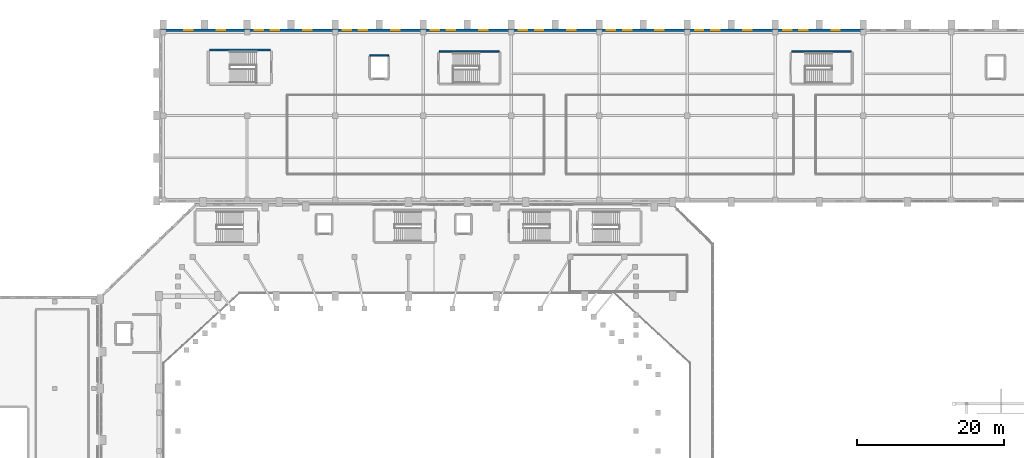
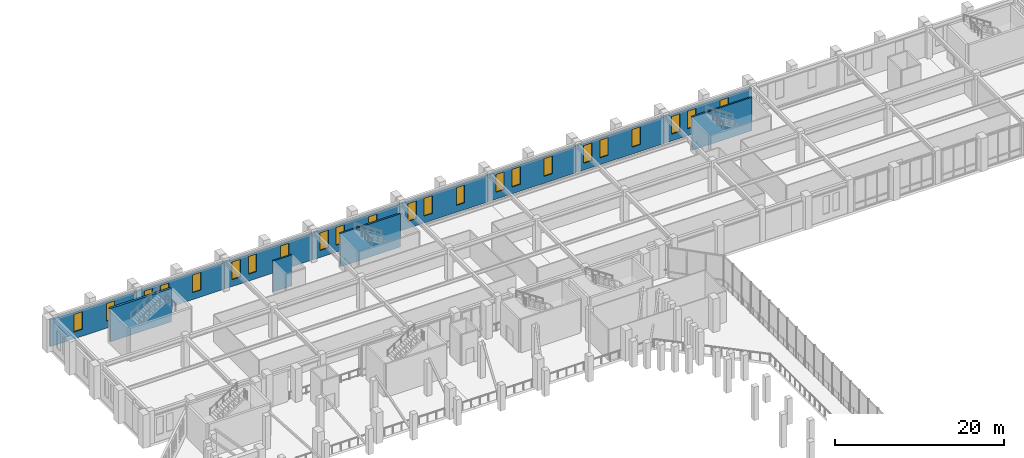
# One storey, part 102 of 126: 23 windows, 12 walls, 23 openings.
"""IFC4 building model written with IfcOpenShell, lengths in metres."""

from ifc_helpers import new_model, si_unit, derived_unit, direction, frame, frame_2d, origin, place, context, subcontext, project, spatial, rectangle, extrude, material, layer, layer_set, type_object, element, fill, save


model = new_model("IFC4")

# Units and contexts
model_context = context("Model", 3, precision=1e-05, world=origin(), true_north=direction((0.0, 1.0)))
body_context = subcontext(model_context, "Body", "Model", "MODEL_VIEW")
ifc_project = project(units=[si_unit("LENGTHUNIT", "METRE"), si_unit("AREAUNIT", "SQUARE_METRE"), si_unit("VOLUMEUNIT", "CUBIC_METRE"), si_unit("PLANEANGLEUNIT", "RADIAN"), si_unit("MASSUNIT", "GRAM", prefix="KILO"), derived_unit("THERMALTRANSMITTANCEUNIT", [(si_unit("MASSUNIT", "GRAM", prefix="KILO"), 1), (si_unit("TIMEUNIT", "SECOND"), -3), (si_unit("THERMODYNAMICTEMPERATUREUNIT", "KELVIN"), -1)])], contexts=[model_context])

# Site, building, storey
site_placement = place(None, origin())
site = spatial("IfcSite", under=ifc_project, at=site_placement, CompositionType="ELEMENT")
building_placement = place(site_placement, origin())
building = spatial("IfcBuilding", under=site, at=building_placement, Name="Valcora Ridge Arena", CompositionType="ELEMENT")
storey_placement = place(building_placement, frame((0.0, 0.0, 11.39990234375)))
storey = spatial("IfcBuildingStorey", under=building, at=storey_placement, Name="L02", CompositionType="ELEMENT", Elevation=11.39990234375)

# Wall, openings, windows
ifc_material_1 = material(Name="Bush-hammered Andean travertine on concrete backup C40/50", Category="masonry")
ifc_layer_1 = layer(ifc_material_1, 0.280029296875, Name="Bush-hammered Andean travertine on concrete backup C40/50")
ifc_layer_set_1 = layer_set([ifc_layer_1], Name="Bush-hammered Andean travertine on concrete backup C40/50")
wall_type_1 = type_object("IfcWallType", Name="TY-WALL-EW-TRV-28-38", PredefinedType="STANDARD", material=ifc_layer_set_1)
wall_1_placement = place(storey_placement, frame((24.219970703125, 131.820068359375, 0.0), z_axis=(0.0, 0.0, 1.0), x_axis=(1.0, 0.0, 0.0)))
wall_1 = element("IfcWall", 1, at=wall_1_placement, inside=storey, type_object=wall_type_1, Name="EW-TRV-28-38 WAL-EW-0165", PredefinedType="STANDARD", context=body_context, shape_type="SweptSolid", body=[
    extrude(rectangle(XDim=11.780029296875, YDim=0.280029296875, at=frame_2d((5.89013671875, 0.0))), origin(), (0.0, 0.0, 1.0), 3.838134765625),
])
opening_1_placement = place(wall_1_placement, frame((3.25, 0.0, 1.0)))
opening_1 = element("IfcOpeningElement", 2, at=opening_1_placement, cuts=wall_1, Name="Opening W-LAN-115X255", PredefinedType="OPENING", context=body_context, shape_type="SweptSolid", body=[
    extrude(rectangle(XDim=1.14990234375, YDim=2.550048828125, at=frame_2d((0.574951171875, 1.27490234375))), frame((0.0, 0.14990234375, 0.0), z_axis=(0.0, -1.0, 0.0), x_axis=(1.0, 0.0, 0.0)), (0.0, 0.0, 1.0), 0.300048828125),
])
opening_2_placement = place(wall_1_placement, frame((7.64990234375, 0.0, 1.0)))
opening_2 = element("IfcOpeningElement", 3, at=opening_2_placement, cuts=wall_1, Name="Opening W-LAN-115X255", PredefinedType="OPENING", context=body_context, shape_type="SweptSolid", body=[
    extrude(rectangle(XDim=1.14990234375, YDim=2.550048828125, at=frame_2d((0.574951171875, 1.27490234375))), frame((0.0, 0.14990234375, 0.0), z_axis=(0.0, -1.0, 0.0), x_axis=(1.0, 0.0, 0.0)), (0.0, 0.0, 1.0), 0.300048828125),
])
ifc_material_2 = material(Name="Low-iron solar-control double glazing SHGC 0.28", Category="glass")
window_type = type_object("IfcWindowType", Name="TY-WINDOW-W-LAN-115X255", PartitioningType="DOUBLE_PANEL_VERTICAL", PredefinedType="WINDOW", material=ifc_material_2)
window_1_placement = place(opening_1_placement, origin())
window_1 = element("IfcWindow", 4, at=window_1_placement, inside=storey, type_object=window_type, Name="W-LAN-115X255 WIN-EX-0500", OverallHeight=2.550048828125, OverallWidth=1.14990234375, PartitioningType="DOUBLE_PANEL_VERTICAL", PredefinedType="WINDOW", context=body_context, shape_type="SweptSolid", body=[
    extrude(rectangle(XDim=1.14990234375, YDim=2.550048828125, at=frame_2d((0.574951171875, 1.27490234375))), frame((0.0, 0.030029296875, 0.0), z_axis=(0.0, -1.0, 0.0), x_axis=(1.0, 0.0, 0.0)), (0.0, 0.0, 1.0), 0.06005859375),
])
fill(opening_1, window_1)
window_2_placement = place(opening_2_placement, origin())
window_2 = element("IfcWindow", 5, at=window_2_placement, inside=storey, type_object=window_type, Name="W-LAN-115X255 WIN-EX-0501", OverallHeight=2.550048828125, OverallWidth=1.14990234375, PartitioningType="DOUBLE_PANEL_VERTICAL", PredefinedType="WINDOW", context=body_context, shape_type="SweptSolid", body=[
    extrude(rectangle(XDim=1.14990234375, YDim=2.550048828125, at=frame_2d((0.574951171875, 1.27490234375))), frame((0.0, 0.030029296875, 0.0), z_axis=(0.0, -1.0, 0.0), x_axis=(1.0, 0.0, 0.0)), (0.0, 0.0, 1.0), 0.06005859375),
])
fill(opening_2, window_2)

wall_2_placement = place(storey_placement, frame((36.0, 131.820068359375, 0.0), z_axis=(0.0, 0.0, 1.0), x_axis=(1.0, 0.0, 0.0)))
wall_2 = element("IfcWall", 6, at=wall_2_placement, inside=storey, type_object=wall_type_1, Name="EW-TRV-28-38 WAL-EW-0166", PredefinedType="STANDARD", context=body_context, shape_type="SweptSolid", body=[
    extrude(rectangle(XDim=12.0, YDim=0.280029296875, at=frame_2d((6.0, 0.0))), origin(), (0.0, 0.0, 1.0), 3.838134765625),
])
opening_3_placement = place(wall_2_placement, frame((1.050048828125, 0.0, 1.0)))
opening_3 = element("IfcOpeningElement", 7, at=opening_3_placement, cuts=wall_2, Name="Opening W-LAN-115X255", PredefinedType="OPENING", context=body_context, shape_type="SweptSolid", body=[
    extrude(rectangle(XDim=1.14990234375, YDim=2.550048828125, at=frame_2d((0.574951171875, 1.27490234375))), frame((0.0, 0.14990234375, 0.0), z_axis=(0.0, -1.0, 0.0), x_axis=(1.0, 0.0, 0.0)), (0.0, 0.0, 1.0), 0.300048828125),
])
opening_4_placement = place(wall_2_placement, frame((3.25, 0.0, 1.0)))
opening_4 = element("IfcOpeningElement", 8, at=opening_4_placement, cuts=wall_2, Name="Opening W-LAN-115X255", PredefinedType="OPENING", context=body_context, shape_type="SweptSolid", body=[
    extrude(rectangle(XDim=1.14990234375, YDim=2.550048828125, at=frame_2d((0.574951171875, 1.27490234375))), frame((0.0, 0.14990234375, 0.0), z_axis=(0.0, -1.0, 0.0), x_axis=(1.0, 0.0, 0.0)), (0.0, 0.0, 1.0), 0.300048828125),
])
opening_5_placement = place(wall_2_placement, frame((7.64990234375, 0.0, 1.0)))
opening_5 = element("IfcOpeningElement", 9, at=opening_5_placement, cuts=wall_2, Name="Opening W-LAN-115X255", PredefinedType="OPENING", context=body_context, shape_type="SweptSolid", body=[
    extrude(rectangle(XDim=1.14990234375, YDim=2.550048828125, at=frame_2d((0.574951171875, 1.27490234375))), frame((0.0, 0.14990234375, 0.0), z_axis=(0.0, -1.0, 0.0), x_axis=(1.0, 0.0, 0.0)), (0.0, 0.0, 1.0), 0.300048828125),
])
window_3_placement = place(opening_3_placement, origin())
window_3 = element("IfcWindow", 10, at=window_3_placement, inside=storey, type_object=window_type, Name="W-LAN-115X255 WIN-EX-0502", OverallHeight=2.550048828125, OverallWidth=1.14990234375, PartitioningType="DOUBLE_PANEL_VERTICAL", PredefinedType="WINDOW", context=body_context, shape_type="SweptSolid", body=[
    extrude(rectangle(XDim=1.14990234375, YDim=2.550048828125, at=frame_2d((0.574951171875, 1.27490234375))), frame((0.0, 0.030029296875, 0.0), z_axis=(0.0, -1.0, 0.0), x_axis=(1.0, 0.0, 0.0)), (0.0, 0.0, 1.0), 0.06005859375),
])
fill(opening_3, window_3)
window_4_placement = place(opening_4_placement, origin())
window_4 = element("IfcWindow", 11, at=window_4_placement, inside=storey, type_object=window_type, Name="W-LAN-115X255 WIN-EX-0503", OverallHeight=2.550048828125, OverallWidth=1.14990234375, PartitioningType="DOUBLE_PANEL_VERTICAL", PredefinedType="WINDOW", context=body_context, shape_type="SweptSolid", body=[
    extrude(rectangle(XDim=1.14990234375, YDim=2.550048828125, at=frame_2d((0.574951171875, 1.27490234375))), frame((0.0, 0.030029296875, 0.0), z_axis=(0.0, -1.0, 0.0), x_axis=(1.0, 0.0, 0.0)), (0.0, 0.0, 1.0), 0.06005859375),
])
fill(opening_4, window_4)
window_5_placement = place(opening_5_placement, origin())
window_5 = element("IfcWindow", 12, at=window_5_placement, inside=storey, type_object=window_type, Name="W-LAN-115X255 WIN-EX-0504", OverallHeight=2.550048828125, OverallWidth=1.14990234375, PartitioningType="DOUBLE_PANEL_VERTICAL", PredefinedType="WINDOW", context=body_context, shape_type="SweptSolid", body=[
    extrude(rectangle(XDim=1.14990234375, YDim=2.550048828125, at=frame_2d((0.574951171875, 1.27490234375))), frame((0.0, 0.030029296875, 0.0), z_axis=(0.0, -1.0, 0.0), x_axis=(1.0, 0.0, 0.0)), (0.0, 0.0, 1.0), 0.06005859375),
])
fill(opening_5, window_5)

wall_3_placement = place(storey_placement, frame((48.0, 131.820068359375, 0.0), z_axis=(0.0, 0.0, 1.0), x_axis=(1.0, 0.0, 0.0)))
wall_3 = element("IfcWall", 13, at=wall_3_placement, inside=storey, type_object=wall_type_1, Name="EW-TRV-28-38 WAL-EW-0167", PredefinedType="STANDARD", context=body_context, shape_type="SweptSolid", body=[
    extrude(rectangle(XDim=12.0, YDim=0.280029296875, at=frame_2d((6.0, 0.0))), origin(), (0.0, 0.0, 1.0), 3.838134765625),
])
opening_6_placement = place(wall_3_placement, frame((1.050048828125, 0.0, 1.0)))
opening_6 = element("IfcOpeningElement", 14, at=opening_6_placement, cuts=wall_3, Name="Opening W-LAN-115X255", PredefinedType="OPENING", context=body_context, shape_type="SweptSolid", body=[
    extrude(rectangle(XDim=1.14990234375, YDim=2.550048828125, at=frame_2d((0.574951171875, 1.27490234375))), frame((0.0, 0.14990234375, 0.0), z_axis=(0.0, -1.0, 0.0), x_axis=(1.0, 0.0, 0.0)), (0.0, 0.0, 1.0), 0.300048828125),
])
opening_7_placement = place(wall_3_placement, frame((3.25, 0.0, 1.0)))
opening_7 = element("IfcOpeningElement", 15, at=opening_7_placement, cuts=wall_3, Name="Opening W-LAN-115X255", PredefinedType="OPENING", context=body_context, shape_type="SweptSolid", body=[
    extrude(rectangle(XDim=1.14990234375, YDim=2.550048828125, at=frame_2d((0.574951171875, 1.27490234375))), frame((0.0, 0.14990234375, 0.0), z_axis=(0.0, -1.0, 0.0), x_axis=(1.0, 0.0, 0.0)), (0.0, 0.0, 1.0), 0.300048828125),
])
opening_8_placement = place(wall_3_placement, frame((7.64990234375, 0.0, 1.0)))
opening_8 = element("IfcOpeningElement", 16, at=opening_8_placement, cuts=wall_3, Name="Opening W-LAN-115X255", PredefinedType="OPENING", context=body_context, shape_type="SweptSolid", body=[
    extrude(rectangle(XDim=1.14990234375, YDim=2.550048828125, at=frame_2d((0.574951171875, 1.27490234375))), frame((0.0, 0.14990234375, 0.0), z_axis=(0.0, -1.0, 0.0), x_axis=(1.0, 0.0, 0.0)), (0.0, 0.0, 1.0), 0.300048828125),
])
window_6_placement = place(opening_6_placement, origin())
window_6 = element("IfcWindow", 17, at=window_6_placement, inside=storey, type_object=window_type, Name="W-LAN-115X255 WIN-EX-0505", OverallHeight=2.550048828125, OverallWidth=1.14990234375, PartitioningType="DOUBLE_PANEL_VERTICAL", PredefinedType="WINDOW", context=body_context, shape_type="SweptSolid", body=[
    extrude(rectangle(XDim=1.14990234375, YDim=2.550048828125, at=frame_2d((0.574951171875, 1.27490234375))), frame((0.0, 0.030029296875, 0.0), z_axis=(0.0, -1.0, 0.0), x_axis=(1.0, 0.0, 0.0)), (0.0, 0.0, 1.0), 0.06005859375),
])
fill(opening_6, window_6)
window_7_placement = place(opening_7_placement, origin())
window_7 = element("IfcWindow", 18, at=window_7_placement, inside=storey, type_object=window_type, Name="W-LAN-115X255 WIN-EX-0506", OverallHeight=2.550048828125, OverallWidth=1.14990234375, PartitioningType="DOUBLE_PANEL_VERTICAL", PredefinedType="WINDOW", context=body_context, shape_type="SweptSolid", body=[
    extrude(rectangle(XDim=1.14990234375, YDim=2.550048828125, at=frame_2d((0.574951171875, 1.27490234375))), frame((0.0, 0.030029296875, 0.0), z_axis=(0.0, -1.0, 0.0), x_axis=(1.0, 0.0, 0.0)), (0.0, 0.0, 1.0), 0.06005859375),
])
fill(opening_7, window_7)
window_8_placement = place(opening_8_placement, origin())
window_8 = element("IfcWindow", 19, at=window_8_placement, inside=storey, type_object=window_type, Name="W-LAN-115X255 WIN-EX-0507", OverallHeight=2.550048828125, OverallWidth=1.14990234375, PartitioningType="DOUBLE_PANEL_VERTICAL", PredefinedType="WINDOW", context=body_context, shape_type="SweptSolid", body=[
    extrude(rectangle(XDim=1.14990234375, YDim=2.550048828125, at=frame_2d((0.574951171875, 1.27490234375))), frame((0.0, 0.030029296875, 0.0), z_axis=(0.0, -1.0, 0.0), x_axis=(1.0, 0.0, 0.0)), (0.0, 0.0, 1.0), 0.06005859375),
])
fill(opening_8, window_8)

wall_4_placement = place(storey_placement, frame((60.0, 131.820068359375, 0.0), z_axis=(0.0, 0.0, 1.0), x_axis=(1.0, 0.0, 0.0)))
wall_4 = element("IfcWall", 20, at=wall_4_placement, inside=storey, type_object=wall_type_1, Name="EW-TRV-28-38 WAL-EW-0168", PredefinedType="STANDARD", context=body_context, shape_type="SweptSolid", body=[
    extrude(rectangle(XDim=12.0, YDim=0.280029296875, at=frame_2d((6.0, 0.0))), origin(), (0.0, 0.0, 1.0), 3.838134765625),
])
opening_9_placement = place(wall_4_placement, frame((1.050048828125, 0.0, 1.0)))
opening_9 = element("IfcOpeningElement", 21, at=opening_9_placement, cuts=wall_4, Name="Opening W-LAN-115X255", PredefinedType="OPENING", context=body_context, shape_type="SweptSolid", body=[
    extrude(rectangle(XDim=1.14990234375, YDim=2.550048828125, at=frame_2d((0.574951171875, 1.27490234375))), frame((0.0, 0.14990234375, 0.0), z_axis=(0.0, -1.0, 0.0), x_axis=(1.0, 0.0, 0.0)), (0.0, 0.0, 1.0), 0.300048828125),
])
opening_10_placement = place(wall_4_placement, frame((3.25, 0.0, 1.0)))
opening_10 = element("IfcOpeningElement", 22, at=opening_10_placement, cuts=wall_4, Name="Opening W-LAN-115X255", PredefinedType="OPENING", context=body_context, shape_type="SweptSolid", body=[
    extrude(rectangle(XDim=1.14990234375, YDim=2.550048828125, at=frame_2d((0.574951171875, 1.27490234375))), frame((0.0, 0.14990234375, 0.0), z_axis=(0.0, -1.0, 0.0), x_axis=(1.0, 0.0, 0.0)), (0.0, 0.0, 1.0), 0.300048828125),
])
opening_11_placement = place(wall_4_placement, frame((7.64990234375, 0.0, 1.0)))
opening_11 = element("IfcOpeningElement", 23, at=opening_11_placement, cuts=wall_4, Name="Opening W-LAN-115X255", PredefinedType="OPENING", context=body_context, shape_type="SweptSolid", body=[
    extrude(rectangle(XDim=1.14990234375, YDim=2.550048828125, at=frame_2d((0.574951171875, 1.27490234375))), frame((0.0, 0.14990234375, 0.0), z_axis=(0.0, -1.0, 0.0), x_axis=(1.0, 0.0, 0.0)), (0.0, 0.0, 1.0), 0.300048828125),
])
window_9_placement = place(opening_9_placement, origin())
window_9 = element("IfcWindow", 24, at=window_9_placement, inside=storey, type_object=window_type, Name="W-LAN-115X255 WIN-EX-0508", OverallHeight=2.550048828125, OverallWidth=1.14990234375, PartitioningType="DOUBLE_PANEL_VERTICAL", PredefinedType="WINDOW", context=body_context, shape_type="SweptSolid", body=[
    extrude(rectangle(XDim=1.14990234375, YDim=2.550048828125, at=frame_2d((0.574951171875, 1.27490234375))), frame((0.0, 0.030029296875, 0.0), z_axis=(0.0, -1.0, 0.0), x_axis=(1.0, 0.0, 0.0)), (0.0, 0.0, 1.0), 0.06005859375),
])
fill(opening_9, window_9)
window_10_placement = place(opening_10_placement, origin())
window_10 = element("IfcWindow", 25, at=window_10_placement, inside=storey, type_object=window_type, Name="W-LAN-115X255 WIN-EX-0509", OverallHeight=2.550048828125, OverallWidth=1.14990234375, PartitioningType="DOUBLE_PANEL_VERTICAL", PredefinedType="WINDOW", context=body_context, shape_type="SweptSolid", body=[
    extrude(rectangle(XDim=1.14990234375, YDim=2.550048828125, at=frame_2d((0.574951171875, 1.27490234375))), frame((0.0, 0.030029296875, 0.0), z_axis=(0.0, -1.0, 0.0), x_axis=(1.0, 0.0, 0.0)), (0.0, 0.0, 1.0), 0.06005859375),
])
fill(opening_10, window_10)
window_11_placement = place(opening_11_placement, origin())
window_11 = element("IfcWindow", 26, at=window_11_placement, inside=storey, type_object=window_type, Name="W-LAN-115X255 WIN-EX-0510", OverallHeight=2.550048828125, OverallWidth=1.14990234375, PartitioningType="DOUBLE_PANEL_VERTICAL", PredefinedType="WINDOW", context=body_context, shape_type="SweptSolid", body=[
    extrude(rectangle(XDim=1.14990234375, YDim=2.550048828125, at=frame_2d((0.574951171875, 1.27490234375))), frame((0.0, 0.030029296875, 0.0), z_axis=(0.0, -1.0, 0.0), x_axis=(1.0, 0.0, 0.0)), (0.0, 0.0, 1.0), 0.06005859375),
])
fill(opening_11, window_11)

wall_5_placement = place(storey_placement, frame((72.0, 131.820068359375, 0.0), z_axis=(0.0, 0.0, 1.0), x_axis=(1.0, 0.0, 0.0)))
wall_5 = element("IfcWall", 27, at=wall_5_placement, inside=storey, type_object=wall_type_1, Name="EW-TRV-28-38 WAL-EW-0169", PredefinedType="STANDARD", context=body_context, shape_type="SweptSolid", body=[
    extrude(rectangle(XDim=12.0, YDim=0.280029296875, at=frame_2d((6.0, 0.0))), origin(), (0.0, 0.0, 1.0), 3.838134765625),
])
opening_12_placement = place(wall_5_placement, frame((1.050048828125, 0.0, 1.0)))
opening_12 = element("IfcOpeningElement", 28, at=opening_12_placement, cuts=wall_5, Name="Opening W-LAN-115X255", PredefinedType="OPENING", context=body_context, shape_type="SweptSolid", body=[
    extrude(rectangle(XDim=1.14990234375, YDim=2.550048828125, at=frame_2d((0.574951171875, 1.27490234375))), frame((0.0, 0.14990234375, 0.0), z_axis=(0.0, -1.0, 0.0), x_axis=(1.0, 0.0, 0.0)), (0.0, 0.0, 1.0), 0.300048828125),
])
opening_13_placement = place(wall_5_placement, frame((3.25, 0.0, 1.0)))
opening_13 = element("IfcOpeningElement", 29, at=opening_13_placement, cuts=wall_5, Name="Opening W-LAN-115X255", PredefinedType="OPENING", context=body_context, shape_type="SweptSolid", body=[
    extrude(rectangle(XDim=1.14990234375, YDim=2.550048828125, at=frame_2d((0.574951171875, 1.27490234375))), frame((0.0, 0.14990234375, 0.0), z_axis=(0.0, -1.0, 0.0), x_axis=(1.0, 0.0, 0.0)), (0.0, 0.0, 1.0), 0.300048828125),
])
opening_14_placement = place(wall_5_placement, frame((7.64990234375, 0.0, 1.0)))
opening_14 = element("IfcOpeningElement", 30, at=opening_14_placement, cuts=wall_5, Name="Opening W-LAN-115X255", PredefinedType="OPENING", context=body_context, shape_type="SweptSolid", body=[
    extrude(rectangle(XDim=1.14990234375, YDim=2.550048828125, at=frame_2d((0.574951171875, 1.27490234375))), frame((0.0, 0.14990234375, 0.0), z_axis=(0.0, -1.0, 0.0), x_axis=(1.0, 0.0, 0.0)), (0.0, 0.0, 1.0), 0.300048828125),
])
window_12_placement = place(opening_12_placement, origin())
window_12 = element("IfcWindow", 31, at=window_12_placement, inside=storey, type_object=window_type, Name="W-LAN-115X255 WIN-EX-0511", OverallHeight=2.550048828125, OverallWidth=1.14990234375, PartitioningType="DOUBLE_PANEL_VERTICAL", PredefinedType="WINDOW", context=body_context, shape_type="SweptSolid", body=[
    extrude(rectangle(XDim=1.14990234375, YDim=2.550048828125, at=frame_2d((0.574951171875, 1.27490234375))), frame((0.0, 0.030029296875, 0.0), z_axis=(0.0, -1.0, 0.0), x_axis=(1.0, 0.0, 0.0)), (0.0, 0.0, 1.0), 0.06005859375),
])
fill(opening_12, window_12)
window_13_placement = place(opening_13_placement, origin())
window_13 = element("IfcWindow", 32, at=window_13_placement, inside=storey, type_object=window_type, Name="W-LAN-115X255 WIN-EX-0512", OverallHeight=2.550048828125, OverallWidth=1.14990234375, PartitioningType="DOUBLE_PANEL_VERTICAL", PredefinedType="WINDOW", context=body_context, shape_type="SweptSolid", body=[
    extrude(rectangle(XDim=1.14990234375, YDim=2.550048828125, at=frame_2d((0.574951171875, 1.27490234375))), frame((0.0, 0.030029296875, 0.0), z_axis=(0.0, -1.0, 0.0), x_axis=(1.0, 0.0, 0.0)), (0.0, 0.0, 1.0), 0.06005859375),
])
fill(opening_13, window_13)
window_14_placement = place(opening_14_placement, origin())
window_14 = element("IfcWindow", 33, at=window_14_placement, inside=storey, type_object=window_type, Name="W-LAN-115X255 WIN-EX-0513", OverallHeight=2.550048828125, OverallWidth=1.14990234375, PartitioningType="DOUBLE_PANEL_VERTICAL", PredefinedType="WINDOW", context=body_context, shape_type="SweptSolid", body=[
    extrude(rectangle(XDim=1.14990234375, YDim=2.550048828125, at=frame_2d((0.574951171875, 1.27490234375))), frame((0.0, 0.030029296875, 0.0), z_axis=(0.0, -1.0, 0.0), x_axis=(1.0, 0.0, 0.0)), (0.0, 0.0, 1.0), 0.06005859375),
])
fill(opening_14, window_14)

wall_6_placement = place(storey_placement, frame((84.0, 131.820068359375, 0.0), z_axis=(0.0, 0.0, 1.0), x_axis=(1.0, 0.0, 0.0)))
wall_6 = element("IfcWall", 34, at=wall_6_placement, inside=storey, type_object=wall_type_1, Name="EW-TRV-28-38 WAL-EW-0170", PredefinedType="STANDARD", context=body_context, shape_type="SweptSolid", body=[
    extrude(rectangle(XDim=12.0, YDim=0.280029296875, at=frame_2d((6.0, 0.0))), origin(), (0.0, 0.0, 1.0), 3.838134765625),
])
opening_15_placement = place(wall_6_placement, frame((1.050048828125, 0.0, 1.0)))
opening_15 = element("IfcOpeningElement", 35, at=opening_15_placement, cuts=wall_6, Name="Opening W-LAN-115X255", PredefinedType="OPENING", context=body_context, shape_type="SweptSolid", body=[
    extrude(rectangle(XDim=1.14990234375, YDim=2.550048828125, at=frame_2d((0.574951171875, 1.27490234375))), frame((0.0, 0.14990234375, 0.0), z_axis=(0.0, -1.0, 0.0), x_axis=(1.0, 0.0, 0.0)), (0.0, 0.0, 1.0), 0.300048828125),
])
opening_16_placement = place(wall_6_placement, frame((3.25, 0.0, 1.0)))
opening_16 = element("IfcOpeningElement", 36, at=opening_16_placement, cuts=wall_6, Name="Opening W-LAN-115X255", PredefinedType="OPENING", context=body_context, shape_type="SweptSolid", body=[
    extrude(rectangle(XDim=1.14990234375, YDim=2.550048828125, at=frame_2d((0.574951171875, 1.27490234375))), frame((0.0, 0.14990234375, 0.0), z_axis=(0.0, -1.0, 0.0), x_axis=(1.0, 0.0, 0.0)), (0.0, 0.0, 1.0), 0.300048828125),
])
opening_17_placement = place(wall_6_placement, frame((7.64990234375, 0.0, 1.0)))
opening_17 = element("IfcOpeningElement", 37, at=opening_17_placement, cuts=wall_6, Name="Opening W-LAN-115X255", PredefinedType="OPENING", context=body_context, shape_type="SweptSolid", body=[
    extrude(rectangle(XDim=1.14990234375, YDim=2.550048828125, at=frame_2d((0.574951171875, 1.27490234375))), frame((0.0, 0.14990234375, 0.0), z_axis=(0.0, -1.0, 0.0), x_axis=(1.0, 0.0, 0.0)), (0.0, 0.0, 1.0), 0.300048828125),
])
window_15_placement = place(opening_15_placement, origin())
window_15 = element("IfcWindow", 38, at=window_15_placement, inside=storey, type_object=window_type, Name="W-LAN-115X255 WIN-EX-0514", OverallHeight=2.550048828125, OverallWidth=1.14990234375, PartitioningType="DOUBLE_PANEL_VERTICAL", PredefinedType="WINDOW", context=body_context, shape_type="SweptSolid", body=[
    extrude(rectangle(XDim=1.14990234375, YDim=2.550048828125, at=frame_2d((0.574951171875, 1.27490234375))), frame((0.0, 0.030029296875, 0.0), z_axis=(0.0, -1.0, 0.0), x_axis=(1.0, 0.0, 0.0)), (0.0, 0.0, 1.0), 0.06005859375),
])
fill(opening_15, window_15)
window_16_placement = place(opening_16_placement, origin())
window_16 = element("IfcWindow", 39, at=window_16_placement, inside=storey, type_object=window_type, Name="W-LAN-115X255 WIN-EX-0515", OverallHeight=2.550048828125, OverallWidth=1.14990234375, PartitioningType="DOUBLE_PANEL_VERTICAL", PredefinedType="WINDOW", context=body_context, shape_type="SweptSolid", body=[
    extrude(rectangle(XDim=1.14990234375, YDim=2.550048828125, at=frame_2d((0.574951171875, 1.27490234375))), frame((0.0, 0.030029296875, 0.0), z_axis=(0.0, -1.0, 0.0), x_axis=(1.0, 0.0, 0.0)), (0.0, 0.0, 1.0), 0.06005859375),
])
fill(opening_16, window_16)
window_17_placement = place(opening_17_placement, origin())
window_17 = element("IfcWindow", 40, at=window_17_placement, inside=storey, type_object=window_type, Name="W-LAN-115X255 WIN-EX-0516", OverallHeight=2.550048828125, OverallWidth=1.14990234375, PartitioningType="DOUBLE_PANEL_VERTICAL", PredefinedType="WINDOW", context=body_context, shape_type="SweptSolid", body=[
    extrude(rectangle(XDim=1.14990234375, YDim=2.550048828125, at=frame_2d((0.574951171875, 1.27490234375))), frame((0.0, 0.030029296875, 0.0), z_axis=(0.0, -1.0, 0.0), x_axis=(1.0, 0.0, 0.0)), (0.0, 0.0, 1.0), 0.06005859375),
])
fill(opening_17, window_17)

wall_7_placement = place(storey_placement, frame((96.0, 131.820068359375, 0.0), z_axis=(0.0, 0.0, 1.0), x_axis=(1.0, 0.0, 0.0)))
wall_7 = element("IfcWall", 41, at=wall_7_placement, inside=storey, type_object=wall_type_1, Name="EW-TRV-28-38 WAL-EW-0171", PredefinedType="STANDARD", context=body_context, shape_type="SweptSolid", body=[
    extrude(rectangle(XDim=12.0, YDim=0.280029296875, at=frame_2d((6.0, 0.0))), origin(), (0.0, 0.0, 1.0), 3.838134765625),
])
opening_18_placement = place(wall_7_placement, frame((1.050048828125, 0.0, 1.0)))
opening_18 = element("IfcOpeningElement", 42, at=opening_18_placement, cuts=wall_7, Name="Opening W-LAN-115X255", PredefinedType="OPENING", context=body_context, shape_type="SweptSolid", body=[
    extrude(rectangle(XDim=1.14990234375, YDim=2.550048828125, at=frame_2d((0.574951171875, 1.27490234375))), frame((0.0, 0.14990234375, 0.0), z_axis=(0.0, -1.0, 0.0), x_axis=(1.0, 0.0, 0.0)), (0.0, 0.0, 1.0), 0.300048828125),
])
opening_19_placement = place(wall_7_placement, frame((3.25, 0.0, 1.0)))
opening_19 = element("IfcOpeningElement", 43, at=opening_19_placement, cuts=wall_7, Name="Opening W-LAN-115X255", PredefinedType="OPENING", context=body_context, shape_type="SweptSolid", body=[
    extrude(rectangle(XDim=1.14990234375, YDim=2.550048828125, at=frame_2d((0.574951171875, 1.27490234375))), frame((0.0, 0.14990234375, 0.0), z_axis=(0.0, -1.0, 0.0), x_axis=(1.0, 0.0, 0.0)), (0.0, 0.0, 1.0), 0.300048828125),
])
opening_20_placement = place(wall_7_placement, frame((7.64990234375, 0.0, 1.0)))
opening_20 = element("IfcOpeningElement", 44, at=opening_20_placement, cuts=wall_7, Name="Opening W-LAN-115X255", PredefinedType="OPENING", context=body_context, shape_type="SweptSolid", body=[
    extrude(rectangle(XDim=1.14990234375, YDim=2.550048828125, at=frame_2d((0.574951171875, 1.27490234375))), frame((0.0, 0.14990234375, 0.0), z_axis=(0.0, -1.0, 0.0), x_axis=(1.0, 0.0, 0.0)), (0.0, 0.0, 1.0), 0.300048828125),
])
window_18_placement = place(opening_18_placement, origin())
window_18 = element("IfcWindow", 45, at=window_18_placement, inside=storey, type_object=window_type, Name="W-LAN-115X255 WIN-EX-0517", OverallHeight=2.550048828125, OverallWidth=1.14990234375, PartitioningType="DOUBLE_PANEL_VERTICAL", PredefinedType="WINDOW", context=body_context, shape_type="SweptSolid", body=[
    extrude(rectangle(XDim=1.14990234375, YDim=2.550048828125, at=frame_2d((0.574951171875, 1.27490234375))), frame((0.0, 0.030029296875, 0.0), z_axis=(0.0, -1.0, 0.0), x_axis=(1.0, 0.0, 0.0)), (0.0, 0.0, 1.0), 0.06005859375),
])
fill(opening_18, window_18)
window_19_placement = place(opening_19_placement, origin())
window_19 = element("IfcWindow", 46, at=window_19_placement, inside=storey, type_object=window_type, Name="W-LAN-115X255 WIN-EX-0518", OverallHeight=2.550048828125, OverallWidth=1.14990234375, PartitioningType="DOUBLE_PANEL_VERTICAL", PredefinedType="WINDOW", context=body_context, shape_type="SweptSolid", body=[
    extrude(rectangle(XDim=1.14990234375, YDim=2.550048828125, at=frame_2d((0.574951171875, 1.27490234375))), frame((0.0, 0.030029296875, 0.0), z_axis=(0.0, -1.0, 0.0), x_axis=(1.0, 0.0, 0.0)), (0.0, 0.0, 1.0), 0.06005859375),
])
fill(opening_19, window_19)
window_20_placement = place(opening_20_placement, origin())
window_20 = element("IfcWindow", 47, at=window_20_placement, inside=storey, type_object=window_type, Name="W-LAN-115X255 WIN-EX-0519", OverallHeight=2.550048828125, OverallWidth=1.14990234375, PartitioningType="DOUBLE_PANEL_VERTICAL", PredefinedType="WINDOW", context=body_context, shape_type="SweptSolid", body=[
    extrude(rectangle(XDim=1.14990234375, YDim=2.550048828125, at=frame_2d((0.574951171875, 1.27490234375))), frame((0.0, 0.030029296875, 0.0), z_axis=(0.0, -1.0, 0.0), x_axis=(1.0, 0.0, 0.0)), (0.0, 0.0, 1.0), 0.06005859375),
])
fill(opening_20, window_20)

wall_8_placement = place(storey_placement, frame((108.0, 131.820068359375, 0.0), z_axis=(0.0, 0.0, 1.0), x_axis=(1.0, 0.0, 0.0)))
wall_8 = element("IfcWall", 48, at=wall_8_placement, inside=storey, type_object=wall_type_1, Name="EW-TRV-28-38 WAL-EW-0172", PredefinedType="STANDARD", context=body_context, shape_type="SweptSolid", body=[
    extrude(rectangle(XDim=12.0, YDim=0.280029296875, at=frame_2d((6.0, 0.0))), origin(), (0.0, 0.0, 1.0), 3.838134765625),
])
opening_21_placement = place(wall_8_placement, frame((1.050048828125, 0.0, 1.0)))
opening_21 = element("IfcOpeningElement", 49, at=opening_21_placement, cuts=wall_8, Name="Opening W-LAN-115X255", PredefinedType="OPENING", context=body_context, shape_type="SweptSolid", body=[
    extrude(rectangle(XDim=1.14990234375, YDim=2.550048828125, at=frame_2d((0.574951171875, 1.27490234375))), frame((0.0, 0.14990234375, 0.0), z_axis=(0.0, -1.0, 0.0), x_axis=(1.0, 0.0, 0.0)), (0.0, 0.0, 1.0), 0.300048828125),
])
opening_22_placement = place(wall_8_placement, frame((3.25, 0.0, 1.0)))
opening_22 = element("IfcOpeningElement", 50, at=opening_22_placement, cuts=wall_8, Name="Opening W-LAN-115X255", PredefinedType="OPENING", context=body_context, shape_type="SweptSolid", body=[
    extrude(rectangle(XDim=1.14990234375, YDim=2.550048828125, at=frame_2d((0.574951171875, 1.27490234375))), frame((0.0, 0.14990234375, 0.0), z_axis=(0.0, -1.0, 0.0), x_axis=(1.0, 0.0, 0.0)), (0.0, 0.0, 1.0), 0.300048828125),
])
opening_23_placement = place(wall_8_placement, frame((7.64990234375, 0.0, 1.0)))
opening_23 = element("IfcOpeningElement", 51, at=opening_23_placement, cuts=wall_8, Name="Opening W-LAN-115X255", PredefinedType="OPENING", context=body_context, shape_type="SweptSolid", body=[
    extrude(rectangle(XDim=1.14990234375, YDim=2.550048828125, at=frame_2d((0.574951171875, 1.27490234375))), frame((0.0, 0.14990234375, 0.0), z_axis=(0.0, -1.0, 0.0), x_axis=(1.0, 0.0, 0.0)), (0.0, 0.0, 1.0), 0.300048828125),
])
window_21_placement = place(opening_21_placement, origin())
window_21 = element("IfcWindow", 52, at=window_21_placement, inside=storey, type_object=window_type, Name="W-LAN-115X255 WIN-EX-0520", OverallHeight=2.550048828125, OverallWidth=1.14990234375, PartitioningType="DOUBLE_PANEL_VERTICAL", PredefinedType="WINDOW", context=body_context, shape_type="SweptSolid", body=[
    extrude(rectangle(XDim=1.14990234375, YDim=2.550048828125, at=frame_2d((0.574951171875, 1.27490234375))), frame((0.0, 0.030029296875, 0.0), z_axis=(0.0, -1.0, 0.0), x_axis=(1.0, 0.0, 0.0)), (0.0, 0.0, 1.0), 0.06005859375),
])
fill(opening_21, window_21)
window_22_placement = place(opening_22_placement, origin())
window_22 = element("IfcWindow", 53, at=window_22_placement, inside=storey, type_object=window_type, Name="W-LAN-115X255 WIN-EX-0521", OverallHeight=2.550048828125, OverallWidth=1.14990234375, PartitioningType="DOUBLE_PANEL_VERTICAL", PredefinedType="WINDOW", context=body_context, shape_type="SweptSolid", body=[
    extrude(rectangle(XDim=1.14990234375, YDim=2.550048828125, at=frame_2d((0.574951171875, 1.27490234375))), frame((0.0, 0.030029296875, 0.0), z_axis=(0.0, -1.0, 0.0), x_axis=(1.0, 0.0, 0.0)), (0.0, 0.0, 1.0), 0.06005859375),
])
fill(opening_22, window_22)
window_23_placement = place(opening_23_placement, origin())
window_23 = element("IfcWindow", 54, at=window_23_placement, inside=storey, type_object=window_type, Name="W-LAN-115X255 WIN-EX-0522", OverallHeight=2.550048828125, OverallWidth=1.14990234375, PartitioningType="DOUBLE_PANEL_VERTICAL", PredefinedType="WINDOW", context=body_context, shape_type="SweptSolid", body=[
    extrude(rectangle(XDim=1.14990234375, YDim=2.550048828125, at=frame_2d((0.574951171875, 1.27490234375))), frame((0.0, 0.030029296875, 0.0), z_axis=(0.0, -1.0, 0.0), x_axis=(1.0, 0.0, 0.0)), (0.0, 0.0, 1.0), 0.06005859375),
])
fill(opening_23, window_23)

# Walls
ifc_material_3 = material(Name="Concrete C40/50", Category="concrete")
ifc_layer_2 = layer(ifc_material_3, 0.199951171875, Name="Concrete C40/50")
ifc_layer_set_2 = layer_set([ifc_layer_2], Name="Concrete C40/50")
wall_type_2 = type_object("IfcWallType", Name="TY-WALL-IW-SHF-200", PredefinedType="STANDARD", material=ifc_layer_set_2)
wall_9_placement = place(storey_placement, frame((52.699951171875, 128.39990234375, 0.0), z_axis=(0.0, 0.0, 1.0), x_axis=(1.0, 0.0, 0.0)))
element("IfcWall", 55, at=wall_9_placement, inside=storey, type_object=wall_type_2, Name="IW-SHF-200 WAL-SH-0258", PredefinedType="STANDARD", context=body_context, shape_type="SweptSolid", body=[
    extrude(rectangle(XDim=2.60009765625, YDim=0.199951171875, at=frame_2d((1.300048828125, 0.0))), origin(), (0.0, 0.0, 1.0), 4.4501953125),
])
ifc_material_4 = material(Name="Concrete C45/55", Category="concrete")
ifc_layer_3 = layer(ifc_material_4, 0.300048828125, Name="Concrete C45/55")
ifc_layer_set_3 = layer_set([ifc_layer_3], Name="Concrete C45/55")
wall_type_3 = type_object("IfcWallType", Name="TY-WALL-SW-C300-L", PredefinedType="SHEAR", material=ifc_layer_set_3)
wall_10_placement = place(storey_placement, frame((30.8798828125, 129.14990234375, 0.0), z_axis=(0.0, 0.0, 1.0), x_axis=(1.0, 0.0, 0.0)))
element("IfcWall", 56, at=wall_10_placement, inside=storey, type_object=wall_type_3, Name="SW-C300-L WAL-CR-0190", PredefinedType="SHEAR", context=body_context, shape_type="SweptSolid", body=[
    extrude(rectangle(XDim=8.320068359375, YDim=0.300048828125, at=frame_2d((4.16015625, 0.0))), origin(), (0.0, 0.0, 1.0), 4.800048828125),
])
ifc_material_5 = material(Name="Fire-resisting reinforced concrete enclosure C40/50 200 mm", Category="concrete")
ifc_layer_4 = layer(ifc_material_5, 0.219970703125, Name="Fire-resisting reinforced concrete enclosure C40/50 200 mm")
ifc_layer_set_4 = layer_set([ifc_layer_4], Name="Fire-resisting reinforced concrete enclosure C40/50 200 mm")
wall_type_4 = type_object("IfcWallType", Name="TY-WALL-SW-ES-220", PredefinedType="SHEAR", material=ifc_layer_set_4)
for number, where, z_axis, x_axis, name in (
    (57, (62.199951171875, 128.909912109375, 0.0), (0.0, 0.0, 1.0), (1.0, 0.0, 0.0), "SW-ES-220 WAL-ES-0178"),
    (58, (110.199951171875, 128.909912109375, 0.0), (0.0, 0.0, 1.0), (1.0, 0.0, 0.0), "SW-ES-220 WAL-ES-0198"),
):
    element("IfcWall", number, at=place(storey_placement, frame(where, z_axis=z_axis, x_axis=x_axis)), inside=storey, type_object=wall_type_4, Name=name, PredefinedType="SHEAR", context=body_context, shape_type="SweptSolid", body=[
        extrude(rectangle(XDim=8.16015625, YDim=0.219970703125, at=frame_2d((4.080078125, 0.0))), origin(), (0.0, 0.0, 1.0), 4.800048828125),
    ])

save(model, "model.ifc")
